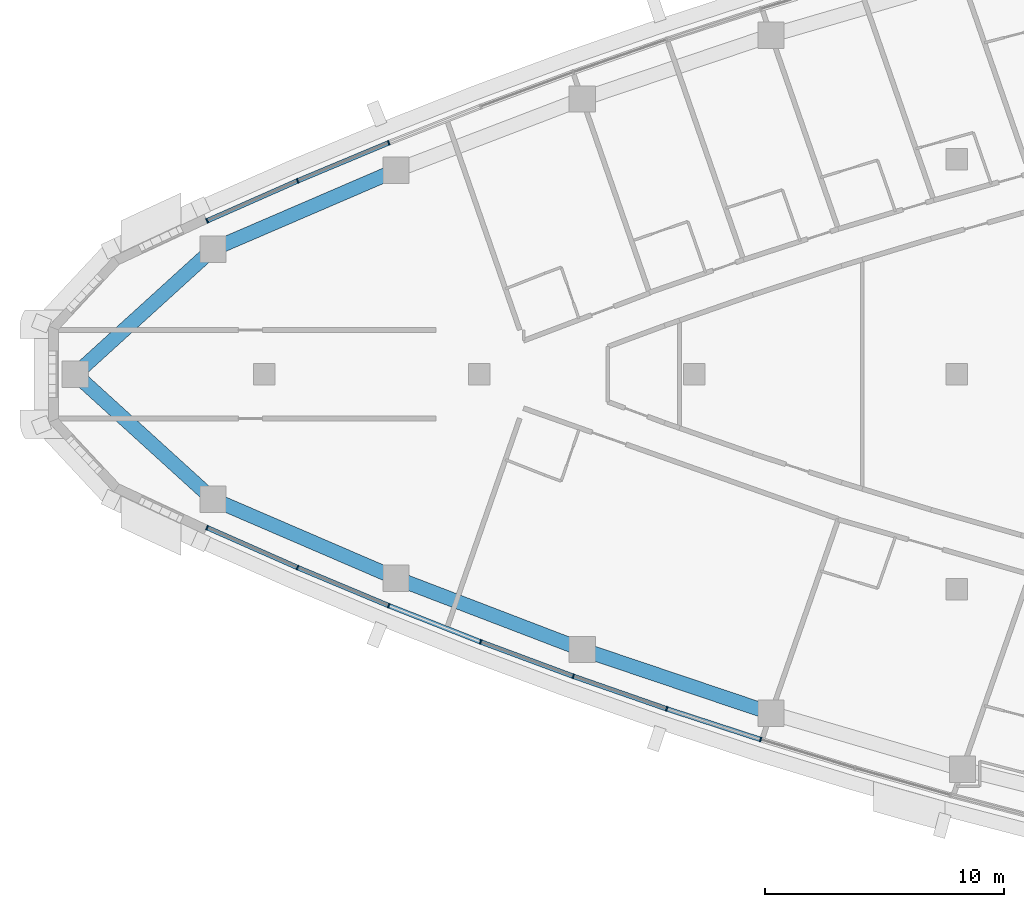
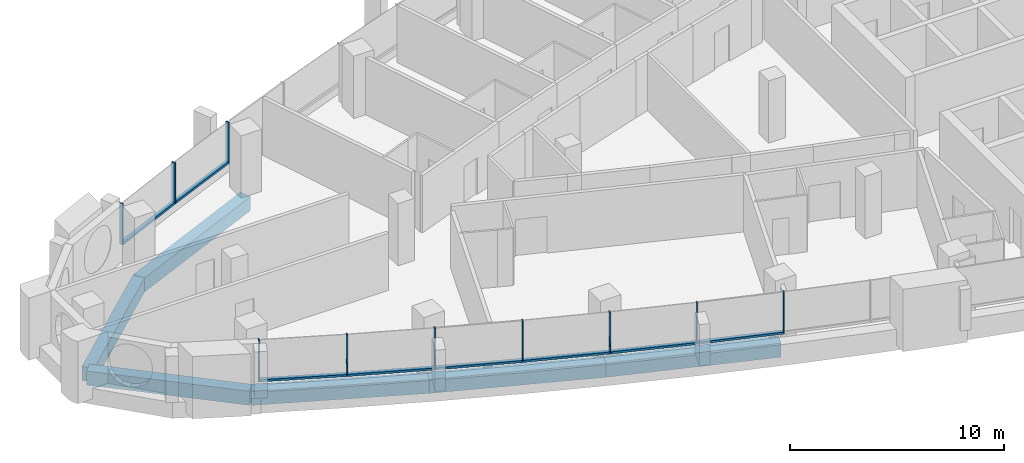
# One storey, part 2 of 14: 18 members, 6 beams, 5 elements without a shape of their own.
"""IFC4 building model written with IfcOpenShell, lengths in metres."""

from ifc_helpers import new_model, si_unit, direction, frame, origin, origin_2d, place, context, subcontext, project, spatial, rectangle, extrude, material, layer, layer_set, material_profile, profile_set, type_object, element, aggregate, save


model = new_model("IFC4")

# Units and contexts
model_context = context("Model", 3, precision=1e-05, world=origin(), true_north=direction((0.0, 1.0)))
body_context = subcontext(model_context, "Body", "Model", "MODEL_VIEW")
ifc_project = project(units=[si_unit("LENGTHUNIT", "METRE"), si_unit("AREAUNIT", "SQUARE_METRE"), si_unit("VOLUMEUNIT", "CUBIC_METRE"), si_unit("PLANEANGLEUNIT", "RADIAN"), si_unit("MASSUNIT", "GRAM", prefix="KILO")], contexts=[model_context])

# Site, building, storey
site_placement = place(None, origin())
site = spatial("IfcSite", under=ifc_project, at=site_placement, CompositionType="ELEMENT")
building_placement = place(site_placement, origin())
building = spatial("IfcBuilding", under=site, at=building_placement, Name="Ostrand Prow Hotel Tower", CompositionType="ELEMENT")
storey_placement = place(building_placement, frame((0.0, 0.0, 285.64990234375)))
storey = spatial("IfcBuildingStorey", under=building, at=storey_placement, Name="L72", CompositionType="ELEMENT", Elevation=285.64990234375)

# Beams
ifc_material_1 = material(Name="Concrete C50/60", Category="concrete")
ifc_material_profile_1 = material_profile(ifc_material_1, rectangle(XDim=0.60009765625, YDim=0.800048828125, at=origin_2d()), Name="RC 600x800")
ifc_profile_set_1 = profile_set([ifc_material_profile_1], Name="Concrete C50/60")
beam_type = type_object("IfcBeamType", Name="Edge beam 600x800 C50/60", PredefinedType="SPANDREL", material=ifc_profile_set_1)
beam_1_placement = place(storey_placement, frame((8.082763671875, 0.0, -0.699951171875), z_axis=(0.740124460758, -0.672469912032, 0.0), x_axis=(0.672469912032, 0.740124460758, 0.0)))
element("IfcBeam", 1, at=beam_1_placement, inside=storey, type_object=beam_type, Name="Edge beam P-S1", PredefinedType="SPANDREL", context=body_context, shape_type="SweptSolid", body=[
    extrude(rectangle(XDim=0.60009765625, YDim=0.800048828125, at=origin_2d()), origin(), (0.0, 0.0, 1.0), 7.787353515625),
])
for number, where, z_axis, x_axis, name in (
    (2, (13.846435546875, -5.23681640625, -0.699951171875), (0.918403788687, -0.39564438695, 0.0), (0.39564438695, 0.918403788687, 0.0), "Edge beam S1-S2"),
    (3, (21.51416015625, -8.5400390625, -0.699951171875), (0.933761753797, -0.357895218111, 0.0), (0.357895218111, 0.933761753797, 0.0), "Edge beam S2-S3"),
    (4, (29.31005859375, -11.528076171875, -0.699951171875), (0.947575089419, -0.319533174981, 0.0), (0.319533174981, 0.947575089419, 0.0), "Edge beam S3-S4"),
    (5, (21.51416015625, 8.5400390625, -0.699951171875), (-0.918403788687, -0.39564438695, 0.0), (0.39564438695, -0.918403788687, 0.0), "Edge beam N5-N6"),
):
    element("IfcBeam", number, at=place(storey_placement, frame(where, z_axis=z_axis, x_axis=x_axis)), inside=storey, type_object=beam_type, Name=name, PredefinedType="SPANDREL", context=body_context, shape_type="SweptSolid", body=[
        extrude(rectangle(XDim=0.60009765625, YDim=0.800048828125, at=origin_2d()), origin(), (0.0, 0.0, 1.0), 8.348876953125),
    ])
beam_2_placement = place(storey_placement, frame((13.846435546875, 5.23681640625, -0.699951171875), z_axis=(-0.740124460758, -0.672469912032, 0.0), x_axis=(0.672469912032, -0.740124460758, 0.0)))
element("IfcBeam", 6, at=beam_2_placement, inside=storey, type_object=beam_type, Name="Edge beam N6-P", PredefinedType="SPANDREL", context=body_context, shape_type="SweptSolid", body=[
    extrude(rectangle(XDim=0.60009765625, YDim=0.800048828125, at=origin_2d()), origin(), (0.0, 0.0, 1.0), 7.787353515625),
])

# Curtain wall, members
ifc_material_2 = material(Name="Insulated glass in bronze anodised frame", Category="glass")
ifc_layer = layer(ifc_material_2, 0.199951171875)
ifc_layer_set = layer_set([ifc_layer], Name="Insulated glass in bronze anodised frame")
curtain_wall_type = type_object("IfcCurtainWallType", Name="Strip curtain wall, fritted glass over bronze spandrel", PredefinedType="NOTDEFINED", material=ifc_layer_set)
curtain_wall_1_placement = place(storey_placement, origin())
curtain_wall_1 = element("IfcCurtainWall", 7, at=curtain_wall_1_placement, inside=storey, type_object=curtain_wall_type, Name="CW1 run CWS1", PredefinedType="NOTDEFINED")
ifc_material_3 = material(Name="Bronze anodised aluminium", Category="aluminium")
ifc_material_profile_2 = material_profile(ifc_material_3, rectangle(XDim=0.199951171875, YDim=0.06005859375, at=origin_2d()), Name="Mullion 60x200 bronze anodised aluminium")
ifc_profile_set_2 = profile_set([ifc_material_profile_2], Name="Bronze anodised aluminium")
member_type_1 = type_object("IfcMemberType", Name="Mullion 60x200 bronze anodised aluminium", PredefinedType="MULLION", material=ifc_profile_set_2)
member_1_placement = place(storey_placement, frame((13.60009765625, -6.423583984375, 0.900146484375), z_axis=(0.0, 0.0, 1.0), x_axis=(0.403939694592, 0.914785615941, 0.0)))
member_1 = element("IfcMember", 8, at=member_1_placement, type_object=member_type_1, Name="CW1 mullion 1", PredefinedType="MULLION", context=body_context, shape_type="SweptSolid", body=[
    extrude(rectangle(XDim=0.199951171875, YDim=0.06005859375, at=origin_2d()), origin(), (0.0, 0.0, 1.0), 2.349853515625),
])
member_2_placement = place(storey_placement, frame((17.386962890625, -8.095947265625, 0.900146484375), z_axis=(0.0, 0.0, 1.0), x_axis=(0.385471263659, 0.922719840955, 0.0)))
member_2 = element("IfcMember", 9, at=member_2_placement, type_object=member_type_1, Name="CW1 mullion 2", PredefinedType="MULLION", context=body_context, shape_type="SweptSolid", body=[
    extrude(rectangle(XDim=0.199951171875, YDim=0.06005859375, at=origin_2d()), origin(), (0.0, 0.0, 1.0), 2.349853515625),
])
member_3_placement = place(storey_placement, frame((21.206787109375, -9.691650390625, 0.900146484375), z_axis=(0.0, 0.0, 1.0), x_axis=(0.385471263659, 0.922719840955, 0.0)))
member_3 = element("IfcMember", 10, at=member_3_placement, type_object=member_type_1, Name="CW1 mullion 3", PredefinedType="MULLION", context=body_context, shape_type="SweptSolid", body=[
    extrude(rectangle(XDim=0.199951171875, YDim=0.06005859375, at=origin_2d()), origin(), (0.0, 0.0, 1.0), 2.349853515625),
])

curtain_wall_2_placement = place(storey_placement, origin())
curtain_wall_2 = element("IfcCurtainWall", 11, at=curtain_wall_2_placement, inside=storey, type_object=curtain_wall_type, Name="CW1 run CWS2", PredefinedType="NOTDEFINED")
member_4_placement = place(storey_placement, frame((25.05810546875, -11.210205078125, 0.900146484375), z_axis=(0.0, 0.0, 1.0), x_axis=(0.348071422738, 0.937468017947, 0.0)))
member_4 = element("IfcMember", 12, at=member_4_placement, type_object=member_type_1, Name="CW1 mullion 2", PredefinedType="MULLION", context=body_context, shape_type="SweptSolid", body=[
    extrude(rectangle(XDim=0.199951171875, YDim=0.06005859375, at=origin_2d()), origin(), (0.0, 0.0, 1.0), 2.349853515625),
])
member_5_placement = place(storey_placement, frame((28.93896484375, -12.6513671875, 0.900146484375), z_axis=(0.0, 0.0, 1.0), x_axis=(0.348071422738, 0.937468017947, 0.0)))
member_5 = element("IfcMember", 13, at=member_5_placement, type_object=member_type_1, Name="CW1 mullion 3", PredefinedType="MULLION", context=body_context, shape_type="SweptSolid", body=[
    extrude(rectangle(XDim=0.199951171875, YDim=0.06005859375, at=origin_2d()), origin(), (0.0, 0.0, 1.0), 2.349853515625),
])

curtain_wall_3_placement = place(storey_placement, origin())
curtain_wall_3 = element("IfcCurtainWall", 14, at=curtain_wall_3_placement, inside=storey, type_object=curtain_wall_type, Name="CW1 run CWS3", PredefinedType="NOTDEFINED")
member_6_placement = place(storey_placement, frame((32.84814453125, -14.013916015625, 0.900146484375), z_axis=(0.0, 0.0, 1.0), x_axis=(0.310110668289, 0.950700464612, 0.0)))
member_6 = element("IfcMember", 15, at=member_6_placement, type_object=member_type_1, Name="CW1 mullion 2", PredefinedType="MULLION", context=body_context, shape_type="SweptSolid", body=[
    extrude(rectangle(XDim=0.199951171875, YDim=0.06005859375, at=origin_2d()), origin(), (0.0, 0.0, 1.0), 2.349853515625),
])
member_7_placement = place(storey_placement, frame((36.78369140625, -15.297607421875, 0.900146484375), z_axis=(0.0, 0.0, 1.0), x_axis=(0.310110668289, 0.950700464612, 0.0)))
member_7 = element("IfcMember", 16, at=member_7_placement, type_object=member_type_1, Name="CW1 mullion 3", PredefinedType="MULLION", context=body_context, shape_type="SweptSolid", body=[
    extrude(rectangle(XDim=0.199951171875, YDim=0.06005859375, at=origin_2d()), origin(), (0.0, 0.0, 1.0), 2.349853515625),
])

# Curtain wall, member
curtain_wall_4_placement = place(storey_placement, origin())
curtain_wall_4 = element("IfcCurtainWall", 17, at=curtain_wall_4_placement, inside=storey, type_object=curtain_wall_type, Name="CW1 run CWN4", PredefinedType="NOTDEFINED")
member_8_placement = place(storey_placement, frame((21.206787109375, 9.691650390625, 0.900146484375), z_axis=(0.0, 0.0, 1.0), x_axis=(0.366845465248, -0.930281895249, 0.0)))
member_8 = element("IfcMember", 18, at=member_8_placement, type_object=member_type_1, Name="CW1 mullion 3", PredefinedType="MULLION", context=body_context, shape_type="SweptSolid", body=[
    extrude(rectangle(XDim=0.199951171875, YDim=0.06005859375, at=origin_2d()), origin(), (0.0, 0.0, 1.0), 2.349853515625),
])
aggregate(curtain_wall_4, [member_8])

# Curtain wall, members
curtain_wall_5_placement = place(storey_placement, origin())
curtain_wall_5 = element("IfcCurtainWall", 19, at=curtain_wall_5_placement, inside=storey, type_object=curtain_wall_type, Name="CW1 run CWN5", PredefinedType="NOTDEFINED")
member_9_placement = place(storey_placement, frame((17.386962890625, 8.095947265625, 0.900146484375), z_axis=(0.0, 0.0, 1.0), x_axis=(0.403939694592, -0.914785615941, 0.0)))
member_9 = element("IfcMember", 20, at=member_9_placement, type_object=member_type_1, Name="CW1 mullion 2", PredefinedType="MULLION", context=body_context, shape_type="SweptSolid", body=[
    extrude(rectangle(XDim=0.199951171875, YDim=0.06005859375, at=origin_2d()), origin(), (0.0, 0.0, 1.0), 2.349853515625),
])
member_10_placement = place(storey_placement, frame((13.60009765625, 6.423583984375, 0.900146484375), z_axis=(0.0, 0.0, 1.0), x_axis=(0.403939694592, -0.914785615941, 0.0)))
member_10 = element("IfcMember", 21, at=member_10_placement, type_object=member_type_1, Name="CW1 mullion 3", PredefinedType="MULLION", context=body_context, shape_type="SweptSolid", body=[
    extrude(rectangle(XDim=0.199951171875, YDim=0.06005859375, at=origin_2d()), origin(), (0.0, 0.0, 1.0), 2.349853515625),
])

# Member
ifc_material_4 = material(Name="Bronze anodised aluminium", Category="aluminium")
ifc_material_profile_3 = material_profile(ifc_material_4, rectangle(XDim=0.199951171875, YDim=0.1201171875, at=origin_2d()), Name="Transom 120x200 bronze anodised aluminium")
ifc_profile_set_3 = profile_set([ifc_material_profile_3], Name="Bronze anodised aluminium")
member_type_2 = type_object("IfcMemberType", Name="Transom 120x200 bronze anodised aluminium", PredefinedType="USERDEFINED", material=ifc_profile_set_3)
member_11_placement = place(storey_placement, frame((13.62744140625, -6.435791015625, 0.960205078125), z_axis=(0.914791011182, -0.403927475991, 0.0), x_axis=(0.403927475991, 0.914791011182, 0.0)))
member_11 = element("IfcMember", 22, at=member_11_placement, type_object=member_type_2, Name="CW1 transom 1.1", ObjectType="TRANSOM", PredefinedType="USERDEFINED", context=body_context, shape_type="SweptSolid", body=[
    extrude(rectangle(XDim=0.199951171875, YDim=0.1201171875, at=origin_2d()), origin(), (0.0, 0.0, 1.0), 4.079833984375),
])

member_12_placement = place(storey_placement, frame((17.414794921875, -8.107421875, 0.960205078125), z_axis=(0.922706465875, -0.385503278628, 0.0), x_axis=(0.385503278628, 0.922706465875, 0.0)))
member_12 = element("IfcMember", 23, at=member_12_placement, type_object=member_type_2, Name="CW1 transom 2.1", ObjectType="TRANSOM", PredefinedType="USERDEFINED", context=body_context, shape_type="SweptSolid", body=[
    extrude(rectangle(XDim=0.199951171875, YDim=0.1201171875, at=origin_2d()), origin(), (0.0, 0.0, 1.0), 4.079833984375),
])

aggregate(curtain_wall_1, [member_1, member_2, member_3, member_11, member_12])

member_13_placement = place(storey_placement, frame((21.23486328125, -9.70263671875, 0.960205078125), z_axis=(0.930289613186, -0.366825892759, 0.0), x_axis=(0.366825892759, 0.930289613186, 0.0)))
member_13 = element("IfcMember", 24, at=member_13_placement, type_object=member_type_2, Name="CW1 transom 1.1", ObjectType="TRANSOM", PredefinedType="USERDEFINED", context=body_context, shape_type="SweptSolid", body=[
    extrude(rectangle(XDim=0.199951171875, YDim=0.1201171875, at=origin_2d()), origin(), (0.0, 0.0, 1.0), 4.079833984375),
])

member_14_placement = place(storey_placement, frame((25.086181640625, -11.220703125, 0.960205078125), z_axis=(0.937460424566, -0.348091873465, 0.0), x_axis=(0.348091873465, 0.937460424566, 0.0)))
member_14 = element("IfcMember", 25, at=member_14_placement, type_object=member_type_2, Name="CW1 transom 2.1", ObjectType="TRANSOM", PredefinedType="USERDEFINED", context=body_context, shape_type="SweptSolid", body=[
    extrude(rectangle(XDim=0.199951171875, YDim=0.1201171875, at=origin_2d()), origin(), (0.0, 0.0, 1.0), 4.079833984375),
])

aggregate(curtain_wall_2, [member_4, member_5, member_13, member_14])

member_15_placement = place(storey_placement, frame((28.96728515625, -12.6611328125, 0.960205078125), z_axis=(0.944268108385, -0.329177367822, 0.0), x_axis=(0.329177367822, 0.944268108385, 0.0)))
member_15 = element("IfcMember", 26, at=member_15_placement, type_object=member_type_2, Name="CW1 transom 1.1", ObjectType="TRANSOM", PredefinedType="USERDEFINED", context=body_context, shape_type="SweptSolid", body=[
    extrude(rectangle(XDim=0.199951171875, YDim=0.1201171875, at=origin_2d()), origin(), (0.0, 0.0, 1.0), 4.079833984375),
])

member_16_placement = place(storey_placement, frame((32.876708984375, -14.023193359375, 0.960205078125), z_axis=(0.950704145978, -0.310099382165, 0.0), x_axis=(0.310099382165, 0.950704145978, 0.0)))
member_16 = element("IfcMember", 27, at=member_16_placement, type_object=member_type_2, Name="CW1 transom 2.1", ObjectType="TRANSOM", PredefinedType="USERDEFINED", context=body_context, shape_type="SweptSolid", body=[
    extrude(rectangle(XDim=0.199951171875, YDim=0.1201171875, at=origin_2d()), origin(), (0.0, 0.0, 1.0), 4.079833984375),
])

aggregate(curtain_wall_3, [member_6, member_7, member_15, member_16])

member_17_placement = place(storey_placement, frame((21.17919921875, 9.68017578125, 0.960205078125), z_axis=(-0.922706465875, -0.385503278628, 0.0), x_axis=(0.385503278628, -0.922706465875, 0.0)))
member_17 = element("IfcMember", 28, at=member_17_placement, type_object=member_type_2, Name="CW1 transom 1.1", ObjectType="TRANSOM", PredefinedType="USERDEFINED", context=body_context, shape_type="SweptSolid", body=[
    extrude(rectangle(XDim=0.199951171875, YDim=0.1201171875, at=origin_2d()), origin(), (0.0, 0.0, 1.0), 4.079833984375),
])

member_18_placement = place(storey_placement, frame((17.359619140625, 8.083740234375, 0.960205078125), z_axis=(-0.914791011182, -0.403927475991, 0.0), x_axis=(0.403927475991, -0.914791011182, 0.0)))
member_18 = element("IfcMember", 29, at=member_18_placement, type_object=member_type_2, Name="CW1 transom 2.1", ObjectType="TRANSOM", PredefinedType="USERDEFINED", context=body_context, shape_type="SweptSolid", body=[
    extrude(rectangle(XDim=0.199951171875, YDim=0.1201171875, at=origin_2d()), origin(), (0.0, 0.0, 1.0), 4.079833984375),
])

aggregate(curtain_wall_5, [member_9, member_10, member_17, member_18])

save(model, "model.ifc")
